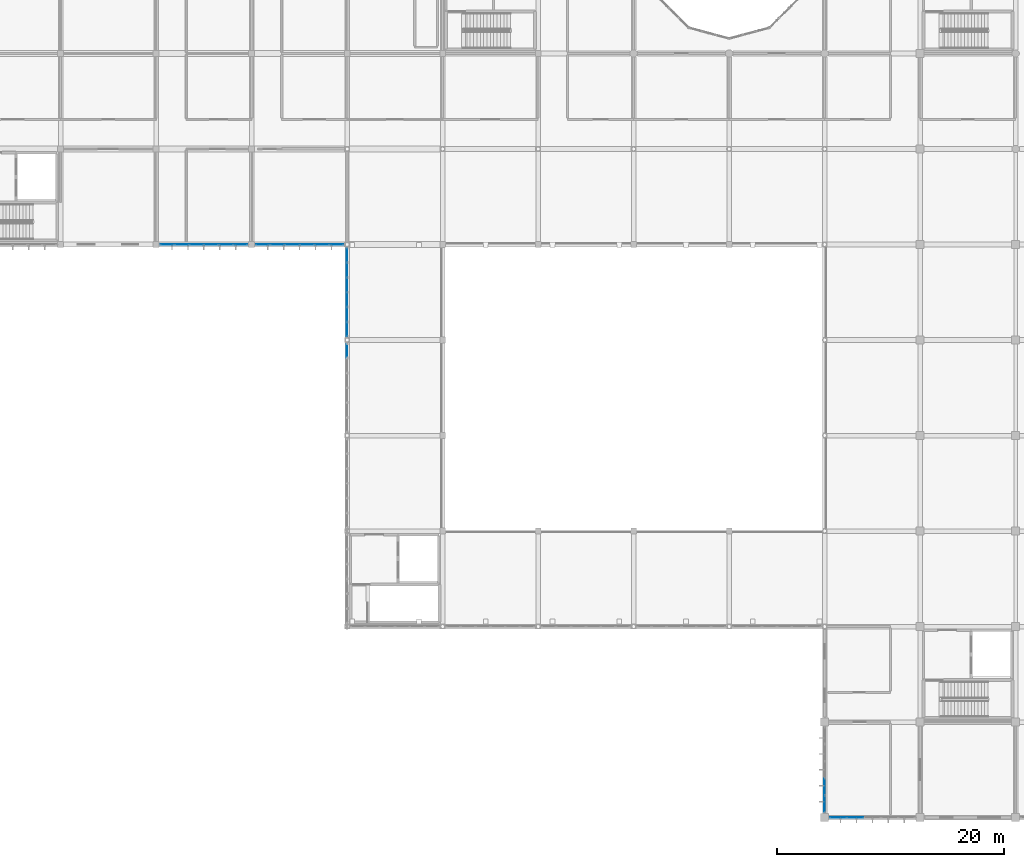
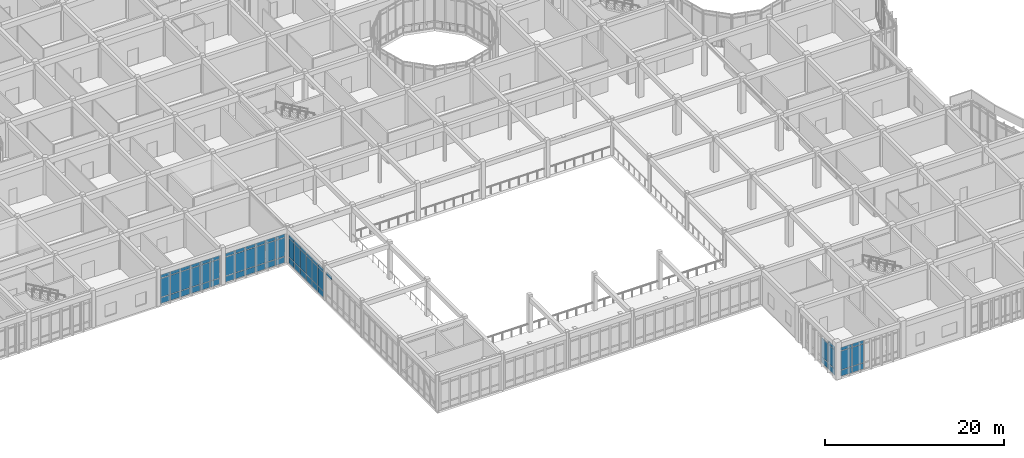
# One storey, part 68 of 134: 66 plates, 6 elements without a shape of their own.
"""IFC4 building model written with IfcOpenShell, lengths in metres."""

from ifc_helpers import new_model, si_unit, direction, frame, origin, origin_2d, place, context, subcontext, project, spatial, rectangle, extrude, material, layer, layer_set, type_object, element, aggregate, save


model = new_model("IFC4")

# Units and contexts
model_context = context("Model", 3, precision=1e-05, world=origin(), true_north=direction((0.0, 1.0)))
body_context = subcontext(model_context, "Body", "Model", "MODEL_VIEW")
ifc_project = project(units=[si_unit("LENGTHUNIT", "METRE"), si_unit("AREAUNIT", "SQUARE_METRE"), si_unit("VOLUMEUNIT", "CUBIC_METRE"), si_unit("PLANEANGLEUNIT", "RADIAN"), si_unit("MASSUNIT", "GRAM", prefix="KILO")], contexts=[model_context])

# Site, building, storey
site_placement = place(None, origin())
site = spatial("IfcSite", under=ifc_project, at=site_placement, CompositionType="ELEMENT")
building_placement = place(site_placement, origin())
building = spatial("IfcBuilding", under=site, at=building_placement, Name="Bramfleet General Hospital", CompositionType="ELEMENT")
storey_placement = place(building_placement, frame((0.0, 0.0, 9.300048828125)))
storey = spatial("IfcBuildingStorey", under=building, at=storey_placement, Name="L02", CompositionType="ELEMENT", Elevation=9.300048828125)

# Curtain wall, plates
ifc_material_1 = material(Name="Anodised aluminium and low-E triple glazing", Category="aluminium")
ifc_layer_1 = layer(ifc_material_1, 0.179931640625, Name="CWT-CW-11")
ifc_layer_set_1 = layer_set([ifc_layer_1], Name="Anodised aluminium and low-E triple glazing")
curtain_wall_type_1 = type_object("IfcCurtainWallType", Name="CWT-CW-11", PredefinedType="USERDEFINED", material=ifc_layer_set_1)
curtain_wall_1_placement = place(storey_placement, origin())
curtain_wall_1 = element("IfcCurtainWall", 1, at=curtain_wall_1_placement, inside=storey, type_object=curtain_wall_type_1, Name="L02 Curtain Wall 137", ObjectType="Stick curtain wall", PredefinedType="USERDEFINED")
ifc_material_2 = material(Name="Low-E laminated safety glass", Category="glass")
ifc_layer_2 = layer(ifc_material_2, 0.028076171875, Name="CWP-GLZ-1")
ifc_layer_set_2 = layer_set([ifc_layer_2], Name="Low-E laminated safety glass")
plate_type_1 = type_object("IfcPlateType", Name="CWP-GLZ-1", PredefinedType="CURTAIN_PANEL", material=ifc_layer_set_2)
plate_1_placement = place(storey_placement, frame((50.39990234375, 42.950439453125, 0.06494140625), z_axis=(0.0, 0.0, 1.0), x_axis=(0.0, 1.0, 0.0)))
plate_1 = element("IfcPlate", 2, at=plate_1_placement, type_object=plate_type_1, Name="CW-11 panel 1.1", PredefinedType="CURTAIN_PANEL", context=body_context, shape_type="SweptSolid", body=[
    extrude(rectangle(XDim=1.19482421875, YDim=0.028076171875, at=origin_2d()), origin(), (0.0, 0.0, 1.0), 0.802490234375),
])
plate_2_placement = place(storey_placement, frame((50.39990234375, 42.950439453125, 0.9326171875), z_axis=(0.0, 0.0, 1.0), x_axis=(0.0, 1.0, 0.0)))
plate_2 = element("IfcPlate", 3, at=plate_2_placement, type_object=plate_type_1, Name="CW-11 panel 1.2", PredefinedType="CURTAIN_PANEL", context=body_context, shape_type="SweptSolid", body=[
    extrude(rectangle(XDim=1.19482421875, YDim=0.028076171875, at=origin_2d()), origin(), (0.0, 0.0, 1.0), 2.554931640625),
])
plate_3_placement = place(storey_placement, frame((50.39990234375, 42.950439453125, 3.552734375), z_axis=(0.0, 0.0, 1.0), x_axis=(0.0, 1.0, 0.0)))
plate_3 = element("IfcPlate", 4, at=plate_3_placement, type_object=plate_type_1, Name="CW-11 panel 1.3", PredefinedType="CURTAIN_PANEL", context=body_context, shape_type="SweptSolid", body=[
    extrude(rectangle(XDim=1.19482421875, YDim=0.028076171875, at=origin_2d()), origin(), (0.0, 0.0, 1.0), 0.452392578125),
])
plate_4_placement = place(storey_placement, frame((50.39990234375, 44.239013671875, 0.06494140625), z_axis=(0.0, 0.0, 1.0), x_axis=(0.0, 1.0, 0.0)))
plate_4 = element("IfcPlate", 5, at=plate_4_placement, type_object=plate_type_1, Name="CW-11 panel 2.1", PredefinedType="CURTAIN_PANEL", context=body_context, shape_type="SweptSolid", body=[
    extrude(rectangle(XDim=1.232421875, YDim=0.028076171875, at=origin_2d()), origin(), (0.0, 0.0, 1.0), 0.802490234375),
])
plate_5_placement = place(storey_placement, frame((50.39990234375, 44.239013671875, 0.9326171875), z_axis=(0.0, 0.0, 1.0), x_axis=(0.0, 1.0, 0.0)))
plate_5 = element("IfcPlate", 6, at=plate_5_placement, type_object=plate_type_1, Name="CW-11 panel 2.2", PredefinedType="CURTAIN_PANEL", context=body_context, shape_type="SweptSolid", body=[
    extrude(rectangle(XDim=1.232421875, YDim=0.028076171875, at=origin_2d()), origin(), (0.0, 0.0, 1.0), 2.554931640625),
])
plate_6_placement = place(storey_placement, frame((50.39990234375, 44.239013671875, 3.552734375), z_axis=(0.0, 0.0, 1.0), x_axis=(0.0, 1.0, 0.0)))
plate_6 = element("IfcPlate", 7, at=plate_6_placement, type_object=plate_type_1, Name="CW-11 panel 2.3", PredefinedType="CURTAIN_PANEL", context=body_context, shape_type="SweptSolid", body=[
    extrude(rectangle(XDim=1.232421875, YDim=0.028076171875, at=origin_2d()), origin(), (0.0, 0.0, 1.0), 0.452392578125),
])
plate_7_placement = place(storey_placement, frame((50.39990234375, 45.54638671875, 0.06494140625), z_axis=(0.0, 0.0, 1.0), x_axis=(0.0, 1.0, 0.0)))
plate_7 = element("IfcPlate", 8, at=plate_7_placement, type_object=plate_type_1, Name="CW-11 panel 3.1", PredefinedType="CURTAIN_PANEL", context=body_context, shape_type="SweptSolid", body=[
    extrude(rectangle(XDim=1.232421875, YDim=0.028076171875, at=origin_2d()), origin(), (0.0, 0.0, 1.0), 0.802490234375),
])
plate_8_placement = place(storey_placement, frame((50.39990234375, 45.54638671875, 0.9326171875), z_axis=(0.0, 0.0, 1.0), x_axis=(0.0, 1.0, 0.0)))
plate_8 = element("IfcPlate", 9, at=plate_8_placement, type_object=plate_type_1, Name="CW-11 panel 3.2", PredefinedType="CURTAIN_PANEL", context=body_context, shape_type="SweptSolid", body=[
    extrude(rectangle(XDim=1.232421875, YDim=0.028076171875, at=origin_2d()), origin(), (0.0, 0.0, 1.0), 2.554931640625),
])
plate_9_placement = place(storey_placement, frame((50.39990234375, 45.54638671875, 3.552734375), z_axis=(0.0, 0.0, 1.0), x_axis=(0.0, 1.0, 0.0)))
plate_9 = element("IfcPlate", 10, at=plate_9_placement, type_object=plate_type_1, Name="CW-11 panel 3.3", PredefinedType="CURTAIN_PANEL", context=body_context, shape_type="SweptSolid", body=[
    extrude(rectangle(XDim=1.232421875, YDim=0.028076171875, at=origin_2d()), origin(), (0.0, 0.0, 1.0), 0.452392578125),
])
plate_10_placement = place(storey_placement, frame((50.39990234375, 46.853759765625, 0.06494140625), z_axis=(0.0, 0.0, 1.0), x_axis=(0.0, 1.0, 0.0)))
plate_10 = element("IfcPlate", 11, at=plate_10_placement, type_object=plate_type_1, Name="CW-11 panel 4.1", PredefinedType="CURTAIN_PANEL", context=body_context, shape_type="SweptSolid", body=[
    extrude(rectangle(XDim=1.232421875, YDim=0.028076171875, at=origin_2d()), origin(), (0.0, 0.0, 1.0), 0.802490234375),
])
plate_11_placement = place(storey_placement, frame((50.39990234375, 46.853759765625, 0.9326171875), z_axis=(0.0, 0.0, 1.0), x_axis=(0.0, 1.0, 0.0)))
plate_11 = element("IfcPlate", 12, at=plate_11_placement, type_object=plate_type_1, Name="CW-11 panel 4.2", PredefinedType="CURTAIN_PANEL", context=body_context, shape_type="SweptSolid", body=[
    extrude(rectangle(XDim=1.232421875, YDim=0.028076171875, at=origin_2d()), origin(), (0.0, 0.0, 1.0), 2.554931640625),
])
plate_12_placement = place(storey_placement, frame((50.39990234375, 46.853759765625, 3.552734375), z_axis=(0.0, 0.0, 1.0), x_axis=(0.0, 1.0, 0.0)))
plate_12 = element("IfcPlate", 13, at=plate_12_placement, type_object=plate_type_1, Name="CW-11 panel 4.3", PredefinedType="CURTAIN_PANEL", context=body_context, shape_type="SweptSolid", body=[
    extrude(rectangle(XDim=1.232421875, YDim=0.028076171875, at=origin_2d()), origin(), (0.0, 0.0, 1.0), 0.452392578125),
])
plate_13_placement = place(storey_placement, frame((50.39990234375, 48.160888671875, 0.06494140625), z_axis=(0.0, 0.0, 1.0), x_axis=(0.0, 1.0, 0.0)))
plate_13 = element("IfcPlate", 14, at=plate_13_placement, type_object=plate_type_1, Name="CW-11 panel 5.1", PredefinedType="CURTAIN_PANEL", context=body_context, shape_type="SweptSolid", body=[
    extrude(rectangle(XDim=1.232421875, YDim=0.028076171875, at=origin_2d()), origin(), (0.0, 0.0, 1.0), 0.802490234375),
])
plate_14_placement = place(storey_placement, frame((50.39990234375, 48.160888671875, 0.9326171875), z_axis=(0.0, 0.0, 1.0), x_axis=(0.0, 1.0, 0.0)))
plate_14 = element("IfcPlate", 15, at=plate_14_placement, type_object=plate_type_1, Name="CW-11 panel 5.2", PredefinedType="CURTAIN_PANEL", context=body_context, shape_type="SweptSolid", body=[
    extrude(rectangle(XDim=1.232421875, YDim=0.028076171875, at=origin_2d()), origin(), (0.0, 0.0, 1.0), 2.554931640625),
])
plate_15_placement = place(storey_placement, frame((50.39990234375, 48.160888671875, 3.552734375), z_axis=(0.0, 0.0, 1.0), x_axis=(0.0, 1.0, 0.0)))
plate_15 = element("IfcPlate", 16, at=plate_15_placement, type_object=plate_type_1, Name="CW-11 panel 5.3", PredefinedType="CURTAIN_PANEL", context=body_context, shape_type="SweptSolid", body=[
    extrude(rectangle(XDim=1.232421875, YDim=0.028076171875, at=origin_2d()), origin(), (0.0, 0.0, 1.0), 0.452392578125),
])
plate_16_placement = place(storey_placement, frame((50.39990234375, 49.449462890625, 0.06494140625), z_axis=(0.0, 0.0, 1.0), x_axis=(0.0, 1.0, 0.0)))
plate_16 = element("IfcPlate", 17, at=plate_16_placement, type_object=plate_type_1, Name="CW-11 panel 6.1", PredefinedType="CURTAIN_PANEL", context=body_context, shape_type="SweptSolid", body=[
    extrude(rectangle(XDim=1.19482421875, YDim=0.028076171875, at=origin_2d()), origin(), (0.0, 0.0, 1.0), 0.802490234375),
])
plate_17_placement = place(storey_placement, frame((50.39990234375, 49.449462890625, 0.9326171875), z_axis=(0.0, 0.0, 1.0), x_axis=(0.0, 1.0, 0.0)))
plate_17 = element("IfcPlate", 18, at=plate_17_placement, type_object=plate_type_1, Name="CW-11 panel 6.2", PredefinedType="CURTAIN_PANEL", context=body_context, shape_type="SweptSolid", body=[
    extrude(rectangle(XDim=1.19482421875, YDim=0.028076171875, at=origin_2d()), origin(), (0.0, 0.0, 1.0), 2.554931640625),
])
plate_18_placement = place(storey_placement, frame((50.39990234375, 49.449462890625, 3.552734375), z_axis=(0.0, 0.0, 1.0), x_axis=(0.0, 1.0, 0.0)))
plate_18 = element("IfcPlate", 19, at=plate_18_placement, type_object=plate_type_1, Name="CW-11 panel 6.3", PredefinedType="CURTAIN_PANEL", context=body_context, shape_type="SweptSolid", body=[
    extrude(rectangle(XDim=1.19482421875, YDim=0.028076171875, at=origin_2d()), origin(), (0.0, 0.0, 1.0), 0.452392578125),
])
aggregate(curtain_wall_1, [plate_1, plate_2, plate_3, plate_4, plate_5, plate_6, plate_7, plate_8, plate_9, plate_10, plate_11, plate_12, plate_13, plate_14, plate_15, plate_16, plate_17, plate_18])

ifc_layer_3 = layer(ifc_material_1, 0.179931640625, Name="CWT-CW-12")
ifc_layer_set_3 = layer_set([ifc_layer_3], Name="Anodised aluminium and low-E triple glazing")
curtain_wall_type_2 = type_object("IfcCurtainWallType", Name="CWT-CW-12", PredefinedType="USERDEFINED", material=ifc_layer_set_3)
curtain_wall_2_placement = place(storey_placement, origin())
curtain_wall_2 = element("IfcCurtainWall", 20, at=curtain_wall_2_placement, inside=storey, type_object=curtain_wall_type_2, Name="L02 Curtain Wall 138", ObjectType="Stick curtain wall", PredefinedType="USERDEFINED")
ifc_layer_4 = layer(ifc_material_2, 0.031982421875, Name="CWP-GLZ-2")
ifc_layer_set_4 = layer_set([ifc_layer_4], Name="Low-E laminated safety glass")
plate_type_2 = type_object("IfcPlateType", Name="CWP-GLZ-2", PredefinedType="CURTAIN_PANEL", material=ifc_layer_set_4)
plate_19_placement = place(storey_placement, frame((49.454833984375, 50.39990234375, 0.06494140625), z_axis=(0.0, 0.0, 1.0), x_axis=(-1.0, 0.0, 0.0)))
plate_19 = element("IfcPlate", 21, at=plate_19_placement, type_object=plate_type_2, Name="CW-12 panel 1.1", PredefinedType="CURTAIN_PANEL", context=body_context, shape_type="SweptSolid", body=[
    extrude(rectangle(XDim=1.194580078125, YDim=0.031982421875, at=origin_2d()), origin(), (0.0, 0.0, 1.0), 0.802490234375),
])
plate_20_placement = place(storey_placement, frame((49.454833984375, 50.39990234375, 0.9326171875), z_axis=(0.0, 0.0, 1.0), x_axis=(-1.0, 0.0, 0.0)))
plate_20 = element("IfcPlate", 22, at=plate_20_placement, type_object=plate_type_2, Name="CW-12 panel 1.2", PredefinedType="CURTAIN_PANEL", context=body_context, shape_type="SweptSolid", body=[
    extrude(rectangle(XDim=1.194580078125, YDim=0.031982421875, at=origin_2d()), origin(), (0.0, 0.0, 1.0), 2.554931640625),
])
plate_21_placement = place(storey_placement, frame((49.454833984375, 50.39990234375, 3.552734375), z_axis=(0.0, 0.0, 1.0), x_axis=(-1.0, 0.0, 0.0)))
plate_21 = element("IfcPlate", 23, at=plate_21_placement, type_object=plate_type_2, Name="CW-12 panel 1.3", PredefinedType="CURTAIN_PANEL", context=body_context, shape_type="SweptSolid", body=[
    extrude(rectangle(XDim=1.194580078125, YDim=0.031982421875, at=origin_2d()), origin(), (0.0, 0.0, 1.0), 0.452392578125),
])
plate_22_placement = place(storey_placement, frame((48.1728515625, 50.39990234375, 0.06494140625), z_axis=(0.0, 0.0, 1.0), x_axis=(-1.0, 0.0, 0.0)))
plate_22 = element("IfcPlate", 24, at=plate_22_placement, type_object=plate_type_2, Name="CW-12 panel 2.1", PredefinedType="CURTAIN_PANEL", context=body_context, shape_type="SweptSolid", body=[
    extrude(rectangle(XDim=1.2294921875, YDim=0.031982421875, at=origin_2d()), origin(), (0.0, 0.0, 1.0), 0.802490234375),
])
plate_23_placement = place(storey_placement, frame((48.1728515625, 50.39990234375, 0.9326171875), z_axis=(0.0, 0.0, 1.0), x_axis=(-1.0, 0.0, 0.0)))
plate_23 = element("IfcPlate", 25, at=plate_23_placement, type_object=plate_type_2, Name="CW-12 panel 2.2", PredefinedType="CURTAIN_PANEL", context=body_context, shape_type="SweptSolid", body=[
    extrude(rectangle(XDim=1.2294921875, YDim=0.031982421875, at=origin_2d()), origin(), (0.0, 0.0, 1.0), 2.554931640625),
])
plate_24_placement = place(storey_placement, frame((48.1728515625, 50.39990234375, 3.552734375), z_axis=(0.0, 0.0, 1.0), x_axis=(-1.0, 0.0, 0.0)))
plate_24 = element("IfcPlate", 26, at=plate_24_placement, type_object=plate_type_2, Name="CW-12 panel 2.3", PredefinedType="CURTAIN_PANEL", context=body_context, shape_type="SweptSolid", body=[
    extrude(rectangle(XDim=1.2294921875, YDim=0.031982421875, at=origin_2d()), origin(), (0.0, 0.0, 1.0), 0.452392578125),
])
plate_25_placement = place(storey_placement, frame((46.873291015625, 50.39990234375, 0.06494140625), z_axis=(0.0, 0.0, 1.0), x_axis=(-1.0, 0.0, 0.0)))
plate_25 = element("IfcPlate", 27, at=plate_25_placement, type_object=plate_type_2, Name="CW-12 panel 3.1", PredefinedType="CURTAIN_PANEL", context=body_context, shape_type="SweptSolid", body=[
    extrude(rectangle(XDim=1.2294921875, YDim=0.031982421875, at=origin_2d()), origin(), (0.0, 0.0, 1.0), 0.802490234375),
])
plate_26_placement = place(storey_placement, frame((46.873291015625, 50.39990234375, 0.9326171875), z_axis=(0.0, 0.0, 1.0), x_axis=(-1.0, 0.0, 0.0)))
plate_26 = element("IfcPlate", 28, at=plate_26_placement, type_object=plate_type_2, Name="CW-12 panel 3.2", PredefinedType="CURTAIN_PANEL", context=body_context, shape_type="SweptSolid", body=[
    extrude(rectangle(XDim=1.2294921875, YDim=0.031982421875, at=origin_2d()), origin(), (0.0, 0.0, 1.0), 2.554931640625),
])
plate_27_placement = place(storey_placement, frame((46.873291015625, 50.39990234375, 3.552734375), z_axis=(0.0, 0.0, 1.0), x_axis=(-1.0, 0.0, 0.0)))
plate_27 = element("IfcPlate", 29, at=plate_27_placement, type_object=plate_type_2, Name="CW-12 panel 3.3", PredefinedType="CURTAIN_PANEL", context=body_context, shape_type="SweptSolid", body=[
    extrude(rectangle(XDim=1.2294921875, YDim=0.031982421875, at=origin_2d()), origin(), (0.0, 0.0, 1.0), 0.452392578125),
])
plate_28_placement = place(storey_placement, frame((45.57373046875, 50.39990234375, 0.06494140625), z_axis=(0.0, 0.0, 1.0), x_axis=(-1.0, 0.0, 0.0)))
plate_28 = element("IfcPlate", 30, at=plate_28_placement, type_object=plate_type_2, Name="CW-12 panel 4.1", PredefinedType="CURTAIN_PANEL", context=body_context, shape_type="SweptSolid", body=[
    extrude(rectangle(XDim=1.2294921875, YDim=0.031982421875, at=origin_2d()), origin(), (0.0, 0.0, 1.0), 0.802490234375),
])
plate_29_placement = place(storey_placement, frame((45.57373046875, 50.39990234375, 0.9326171875), z_axis=(0.0, 0.0, 1.0), x_axis=(-1.0, 0.0, 0.0)))
plate_29 = element("IfcPlate", 31, at=plate_29_placement, type_object=plate_type_2, Name="CW-12 panel 4.2", PredefinedType="CURTAIN_PANEL", context=body_context, shape_type="SweptSolid", body=[
    extrude(rectangle(XDim=1.2294921875, YDim=0.031982421875, at=origin_2d()), origin(), (0.0, 0.0, 1.0), 2.554931640625),
])
plate_30_placement = place(storey_placement, frame((45.57373046875, 50.39990234375, 3.552734375), z_axis=(0.0, 0.0, 1.0), x_axis=(-1.0, 0.0, 0.0)))
plate_30 = element("IfcPlate", 32, at=plate_30_placement, type_object=plate_type_2, Name="CW-12 panel 4.3", PredefinedType="CURTAIN_PANEL", context=body_context, shape_type="SweptSolid", body=[
    extrude(rectangle(XDim=1.2294921875, YDim=0.031982421875, at=origin_2d()), origin(), (0.0, 0.0, 1.0), 0.452392578125),
])
plate_31_placement = place(storey_placement, frame((44.274169921875, 50.39990234375, 0.06494140625), z_axis=(0.0, 0.0, 1.0), x_axis=(-1.0, 0.0, 0.0)))
plate_31 = element("IfcPlate", 33, at=plate_31_placement, type_object=plate_type_2, Name="CW-12 panel 5.1", PredefinedType="CURTAIN_PANEL", context=body_context, shape_type="SweptSolid", body=[
    extrude(rectangle(XDim=1.2294921875, YDim=0.031982421875, at=origin_2d()), origin(), (0.0, 0.0, 1.0), 0.802490234375),
])
plate_32_placement = place(storey_placement, frame((44.274169921875, 50.39990234375, 0.9326171875), z_axis=(0.0, 0.0, 1.0), x_axis=(-1.0, 0.0, 0.0)))
plate_32 = element("IfcPlate", 34, at=plate_32_placement, type_object=plate_type_2, Name="CW-12 panel 5.2", PredefinedType="CURTAIN_PANEL", context=body_context, shape_type="SweptSolid", body=[
    extrude(rectangle(XDim=1.2294921875, YDim=0.031982421875, at=origin_2d()), origin(), (0.0, 0.0, 1.0), 2.554931640625),
])
plate_33_placement = place(storey_placement, frame((44.274169921875, 50.39990234375, 3.552734375), z_axis=(0.0, 0.0, 1.0), x_axis=(-1.0, 0.0, 0.0)))
plate_33 = element("IfcPlate", 35, at=plate_33_placement, type_object=plate_type_2, Name="CW-12 panel 5.3", PredefinedType="CURTAIN_PANEL", context=body_context, shape_type="SweptSolid", body=[
    extrude(rectangle(XDim=1.2294921875, YDim=0.031982421875, at=origin_2d()), origin(), (0.0, 0.0, 1.0), 0.452392578125),
])
plate_34_placement = place(storey_placement, frame((42.9921875, 50.39990234375, 0.06494140625), z_axis=(0.0, 0.0, 1.0), x_axis=(-1.0, 0.0, 0.0)))
plate_34 = element("IfcPlate", 36, at=plate_34_placement, type_object=plate_type_2, Name="CW-12 panel 6.1", PredefinedType="CURTAIN_PANEL", context=body_context, shape_type="SweptSolid", body=[
    extrude(rectangle(XDim=1.194580078125, YDim=0.031982421875, at=origin_2d()), origin(), (0.0, 0.0, 1.0), 0.802490234375),
])
plate_35_placement = place(storey_placement, frame((42.9921875, 50.39990234375, 0.9326171875), z_axis=(0.0, 0.0, 1.0), x_axis=(-1.0, 0.0, 0.0)))
plate_35 = element("IfcPlate", 37, at=plate_35_placement, type_object=plate_type_2, Name="CW-12 panel 6.2", PredefinedType="CURTAIN_PANEL", context=body_context, shape_type="SweptSolid", body=[
    extrude(rectangle(XDim=1.194580078125, YDim=0.031982421875, at=origin_2d()), origin(), (0.0, 0.0, 1.0), 2.554931640625),
])
plate_36_placement = place(storey_placement, frame((42.9921875, 50.39990234375, 3.552734375), z_axis=(0.0, 0.0, 1.0), x_axis=(-1.0, 0.0, 0.0)))
plate_36 = element("IfcPlate", 38, at=plate_36_placement, type_object=plate_type_2, Name="CW-12 panel 6.3", PredefinedType="CURTAIN_PANEL", context=body_context, shape_type="SweptSolid", body=[
    extrude(rectangle(XDim=1.194580078125, YDim=0.031982421875, at=origin_2d()), origin(), (0.0, 0.0, 1.0), 0.452392578125),
])
aggregate(curtain_wall_2, [plate_19, plate_20, plate_21, plate_22, plate_23, plate_24, plate_25, plate_26, plate_27, plate_28, plate_29, plate_30, plate_31, plate_32, plate_33, plate_34, plate_35, plate_36])

ifc_layer_5 = layer(ifc_material_1, 0.179931640625, Name="CWT-CW-01")
ifc_layer_set_5 = layer_set([ifc_layer_5], Name="Anodised aluminium and low-E triple glazing")
curtain_wall_type_3 = type_object("IfcCurtainWallType", Name="CWT-CW-01", PredefinedType="USERDEFINED", material=ifc_layer_set_5)
curtain_wall_3_placement = place(storey_placement, origin())
curtain_wall_3 = element("IfcCurtainWall", 39, at=curtain_wall_3_placement, inside=storey, type_object=curtain_wall_type_3, Name="L02 Curtain Wall 127", ObjectType="Unitised curtain wall", PredefinedType="USERDEFINED")
ifc_layer_6 = layer(ifc_material_2, 0.035888671875, Name="CWP-GLZ-3")
ifc_layer_set_6 = layer_set([ifc_layer_6], Name="Low-E laminated safety glass")
plate_type_3 = type_object("IfcPlateType", Name="CWP-GLZ-3", PredefinedType="CURTAIN_PANEL", material=ifc_layer_set_6)
plate_37_placement = place(storey_placement, frame((95.090087890625, 0.0, 0.06494140625), z_axis=(0.0, 0.0, 1.0), x_axis=(-1.0, 0.0, 0.0)))
plate_37 = element("IfcPlate", 40, at=plate_37_placement, type_object=plate_type_3, Name="CW-01 panel 4.1", PredefinedType="CURTAIN_PANEL", context=body_context, shape_type="SweptSolid", body=[
    extrude(rectangle(XDim=1.43994140625, YDim=0.035888671875, at=origin_2d()), origin(), (0.0, 0.0, 1.0), 0.802490234375),
])
plate_38_placement = place(storey_placement, frame((95.090087890625, 0.0, 0.9326171875), z_axis=(0.0, 0.0, 1.0), x_axis=(-1.0, 0.0, 0.0)))
plate_38 = element("IfcPlate", 41, at=plate_38_placement, type_object=plate_type_3, Name="CW-01 panel 4.2", PredefinedType="CURTAIN_PANEL", context=body_context, shape_type="SweptSolid", body=[
    extrude(rectangle(XDim=1.43994140625, YDim=0.035888671875, at=origin_2d()), origin(), (0.0, 0.0, 1.0), 2.554931640625),
])
plate_39_placement = place(storey_placement, frame((95.090087890625, 0.0, 3.552734375), z_axis=(0.0, 0.0, 1.0), x_axis=(-1.0, 0.0, 0.0)))
plate_39 = element("IfcPlate", 42, at=plate_39_placement, type_object=plate_type_3, Name="CW-01 panel 4.3", PredefinedType="CURTAIN_PANEL", context=body_context, shape_type="SweptSolid", body=[
    extrude(rectangle(XDim=1.43994140625, YDim=0.035888671875, at=origin_2d()), origin(), (0.0, 0.0, 1.0), 0.452392578125),
])
plate_40_placement = place(storey_placement, frame((93.597412109375, 0.0, 0.06494140625), z_axis=(0.0, 0.0, 1.0), x_axis=(-1.0, 0.0, 0.0)))
plate_40 = element("IfcPlate", 43, at=plate_40_placement, type_object=plate_type_3, Name="CW-01 panel 5.1", PredefinedType="CURTAIN_PANEL", context=body_context, shape_type="SweptSolid", body=[
    extrude(rectangle(XDim=1.405029296875, YDim=0.035888671875, at=origin_2d()), origin(), (0.0, 0.0, 1.0), 0.802490234375),
])
plate_41_placement = place(storey_placement, frame((93.597412109375, 0.0, 0.9326171875), z_axis=(0.0, 0.0, 1.0), x_axis=(-1.0, 0.0, 0.0)))
plate_41 = element("IfcPlate", 44, at=plate_41_placement, type_object=plate_type_3, Name="CW-01 panel 5.2", PredefinedType="CURTAIN_PANEL", context=body_context, shape_type="SweptSolid", body=[
    extrude(rectangle(XDim=1.405029296875, YDim=0.035888671875, at=origin_2d()), origin(), (0.0, 0.0, 1.0), 2.554931640625),
])
plate_42_placement = place(storey_placement, frame((93.597412109375, 0.0, 3.552734375), z_axis=(0.0, 0.0, 1.0), x_axis=(-1.0, 0.0, 0.0)))
plate_42 = element("IfcPlate", 45, at=plate_42_placement, type_object=plate_type_3, Name="CW-01 panel 5.3", PredefinedType="CURTAIN_PANEL", context=body_context, shape_type="SweptSolid", body=[
    extrude(rectangle(XDim=1.405029296875, YDim=0.035888671875, at=origin_2d()), origin(), (0.0, 0.0, 1.0), 0.452392578125),
])
aggregate(curtain_wall_3, [plate_37, plate_38, plate_39, plate_40, plate_41, plate_42])

ifc_layer_7 = layer(ifc_material_1, 0.179931640625, Name="CWT-CW-13")
ifc_layer_set_7 = layer_set([ifc_layer_7], Name="Anodised aluminium and low-E triple glazing")
curtain_wall_type_4 = type_object("IfcCurtainWallType", Name="CWT-CW-13", PredefinedType="USERDEFINED", material=ifc_layer_set_7)
curtain_wall_4_placement = place(storey_placement, origin())
curtain_wall_4 = element("IfcCurtainWall", 46, at=curtain_wall_4_placement, inside=storey, type_object=curtain_wall_type_4, Name="L02 Curtain Wall 139", ObjectType="Stick curtain wall", PredefinedType="USERDEFINED")
plate_43_placement = place(storey_placement, frame((41.01171875, 50.39990234375, 0.06494140625), z_axis=(0.0, 0.0, 1.0), x_axis=(-1.0, 0.0, 0.0)))
plate_43 = element("IfcPlate", 47, at=plate_43_placement, type_object=plate_type_3, Name="CW-13 panel 1.1", PredefinedType="CURTAIN_PANEL", context=body_context, shape_type="SweptSolid", body=[
    extrude(rectangle(XDim=1.186767578125, YDim=0.035888671875, at=origin_2d()), origin(), (0.0, 0.0, 1.0), 0.802490234375),
])
plate_44_placement = place(storey_placement, frame((41.01171875, 50.39990234375, 0.9326171875), z_axis=(0.0, 0.0, 1.0), x_axis=(-1.0, 0.0, 0.0)))
plate_44 = element("IfcPlate", 48, at=plate_44_placement, type_object=plate_type_3, Name="CW-13 panel 1.2", PredefinedType="CURTAIN_PANEL", context=body_context, shape_type="SweptSolid", body=[
    extrude(rectangle(XDim=1.186767578125, YDim=0.035888671875, at=origin_2d()), origin(), (0.0, 0.0, 1.0), 2.554931640625),
])
plate_45_placement = place(storey_placement, frame((41.01171875, 50.39990234375, 3.552734375), z_axis=(0.0, 0.0, 1.0), x_axis=(-1.0, 0.0, 0.0)))
plate_45 = element("IfcPlate", 49, at=plate_45_placement, type_object=plate_type_3, Name="CW-13 panel 1.3", PredefinedType="CURTAIN_PANEL", context=body_context, shape_type="SweptSolid", body=[
    extrude(rectangle(XDim=1.186767578125, YDim=0.035888671875, at=origin_2d()), origin(), (0.0, 0.0, 1.0), 0.452392578125),
])
plate_46_placement = place(storey_placement, frame((39.737548828125, 50.39990234375, 0.06494140625), z_axis=(0.0, 0.0, 1.0), x_axis=(-1.0, 0.0, 0.0)))
plate_46 = element("IfcPlate", 50, at=plate_46_placement, type_object=plate_type_3, Name="CW-13 panel 2.1", PredefinedType="CURTAIN_PANEL", context=body_context, shape_type="SweptSolid", body=[
    extrude(rectangle(XDim=1.2216796875, YDim=0.035888671875, at=origin_2d()), origin(), (0.0, 0.0, 1.0), 0.802490234375),
])
plate_47_placement = place(storey_placement, frame((39.737548828125, 50.39990234375, 0.9326171875), z_axis=(0.0, 0.0, 1.0), x_axis=(-1.0, 0.0, 0.0)))
plate_47 = element("IfcPlate", 51, at=plate_47_placement, type_object=plate_type_3, Name="CW-13 panel 2.2", PredefinedType="CURTAIN_PANEL", context=body_context, shape_type="SweptSolid", body=[
    extrude(rectangle(XDim=1.2216796875, YDim=0.035888671875, at=origin_2d()), origin(), (0.0, 0.0, 1.0), 2.554931640625),
])
plate_48_placement = place(storey_placement, frame((39.737548828125, 50.39990234375, 3.552734375), z_axis=(0.0, 0.0, 1.0), x_axis=(-1.0, 0.0, 0.0)))
plate_48 = element("IfcPlate", 52, at=plate_48_placement, type_object=plate_type_3, Name="CW-13 panel 2.3", PredefinedType="CURTAIN_PANEL", context=body_context, shape_type="SweptSolid", body=[
    extrude(rectangle(XDim=1.2216796875, YDim=0.035888671875, at=origin_2d()), origin(), (0.0, 0.0, 1.0), 0.452392578125),
])
plate_49_placement = place(storey_placement, frame((38.44580078125, 50.39990234375, 0.06494140625), z_axis=(0.0, 0.0, 1.0), x_axis=(-1.0, 0.0, 0.0)))
plate_49 = element("IfcPlate", 53, at=plate_49_placement, type_object=plate_type_3, Name="CW-13 panel 3.1", PredefinedType="CURTAIN_PANEL", context=body_context, shape_type="SweptSolid", body=[
    extrude(rectangle(XDim=1.2216796875, YDim=0.035888671875, at=origin_2d()), origin(), (0.0, 0.0, 1.0), 0.802490234375),
])
plate_50_placement = place(storey_placement, frame((38.44580078125, 50.39990234375, 0.9326171875), z_axis=(0.0, 0.0, 1.0), x_axis=(-1.0, 0.0, 0.0)))
plate_50 = element("IfcPlate", 54, at=plate_50_placement, type_object=plate_type_3, Name="CW-13 panel 3.2", PredefinedType="CURTAIN_PANEL", context=body_context, shape_type="SweptSolid", body=[
    extrude(rectangle(XDim=1.2216796875, YDim=0.035888671875, at=origin_2d()), origin(), (0.0, 0.0, 1.0), 2.554931640625),
])
plate_51_placement = place(storey_placement, frame((38.44580078125, 50.39990234375, 3.552734375), z_axis=(0.0, 0.0, 1.0), x_axis=(-1.0, 0.0, 0.0)))
plate_51 = element("IfcPlate", 55, at=plate_51_placement, type_object=plate_type_3, Name="CW-13 panel 3.3", PredefinedType="CURTAIN_PANEL", context=body_context, shape_type="SweptSolid", body=[
    extrude(rectangle(XDim=1.2216796875, YDim=0.035888671875, at=origin_2d()), origin(), (0.0, 0.0, 1.0), 0.452392578125),
])
plate_52_placement = place(storey_placement, frame((37.154052734375, 50.39990234375, 0.06494140625), z_axis=(0.0, 0.0, 1.0), x_axis=(-1.0, 0.0, 0.0)))
plate_52 = element("IfcPlate", 56, at=plate_52_placement, type_object=plate_type_3, Name="CW-13 panel 4.1", PredefinedType="CURTAIN_PANEL", context=body_context, shape_type="SweptSolid", body=[
    extrude(rectangle(XDim=1.2216796875, YDim=0.035888671875, at=origin_2d()), origin(), (0.0, 0.0, 1.0), 0.802490234375),
])
plate_53_placement = place(storey_placement, frame((37.154052734375, 50.39990234375, 0.9326171875), z_axis=(0.0, 0.0, 1.0), x_axis=(-1.0, 0.0, 0.0)))
plate_53 = element("IfcPlate", 57, at=plate_53_placement, type_object=plate_type_3, Name="CW-13 panel 4.2", PredefinedType="CURTAIN_PANEL", context=body_context, shape_type="SweptSolid", body=[
    extrude(rectangle(XDim=1.2216796875, YDim=0.035888671875, at=origin_2d()), origin(), (0.0, 0.0, 1.0), 2.554931640625),
])
plate_54_placement = place(storey_placement, frame((37.154052734375, 50.39990234375, 3.552734375), z_axis=(0.0, 0.0, 1.0), x_axis=(-1.0, 0.0, 0.0)))
plate_54 = element("IfcPlate", 58, at=plate_54_placement, type_object=plate_type_3, Name="CW-13 panel 4.3", PredefinedType="CURTAIN_PANEL", context=body_context, shape_type="SweptSolid", body=[
    extrude(rectangle(XDim=1.2216796875, YDim=0.035888671875, at=origin_2d()), origin(), (0.0, 0.0, 1.0), 0.452392578125),
])
plate_55_placement = place(storey_placement, frame((35.862548828125, 50.39990234375, 0.06494140625), z_axis=(0.0, 0.0, 1.0), x_axis=(-1.0, 0.0, 0.0)))
plate_55 = element("IfcPlate", 59, at=plate_55_placement, type_object=plate_type_3, Name="CW-13 panel 5.1", PredefinedType="CURTAIN_PANEL", context=body_context, shape_type="SweptSolid", body=[
    extrude(rectangle(XDim=1.2216796875, YDim=0.035888671875, at=origin_2d()), origin(), (0.0, 0.0, 1.0), 0.802490234375),
])
plate_56_placement = place(storey_placement, frame((35.862548828125, 50.39990234375, 0.9326171875), z_axis=(0.0, 0.0, 1.0), x_axis=(-1.0, 0.0, 0.0)))
plate_56 = element("IfcPlate", 60, at=plate_56_placement, type_object=plate_type_3, Name="CW-13 panel 5.2", PredefinedType="CURTAIN_PANEL", context=body_context, shape_type="SweptSolid", body=[
    extrude(rectangle(XDim=1.2216796875, YDim=0.035888671875, at=origin_2d()), origin(), (0.0, 0.0, 1.0), 2.554931640625),
])
plate_57_placement = place(storey_placement, frame((35.862548828125, 50.39990234375, 3.552734375), z_axis=(0.0, 0.0, 1.0), x_axis=(-1.0, 0.0, 0.0)))
plate_57 = element("IfcPlate", 61, at=plate_57_placement, type_object=plate_type_3, Name="CW-13 panel 5.3", PredefinedType="CURTAIN_PANEL", context=body_context, shape_type="SweptSolid", body=[
    extrude(rectangle(XDim=1.2216796875, YDim=0.035888671875, at=origin_2d()), origin(), (0.0, 0.0, 1.0), 0.452392578125),
])
plate_58_placement = place(storey_placement, frame((34.58837890625, 50.39990234375, 0.06494140625), z_axis=(0.0, 0.0, 1.0), x_axis=(-1.0, 0.0, 0.0)))
plate_58 = element("IfcPlate", 62, at=plate_58_placement, type_object=plate_type_3, Name="CW-13 panel 6.1", PredefinedType="CURTAIN_PANEL", context=body_context, shape_type="SweptSolid", body=[
    extrude(rectangle(XDim=1.186767578125, YDim=0.035888671875, at=origin_2d()), origin(), (0.0, 0.0, 1.0), 0.802490234375),
])
plate_59_placement = place(storey_placement, frame((34.58837890625, 50.39990234375, 0.9326171875), z_axis=(0.0, 0.0, 1.0), x_axis=(-1.0, 0.0, 0.0)))
plate_59 = element("IfcPlate", 63, at=plate_59_placement, type_object=plate_type_3, Name="CW-13 panel 6.2", PredefinedType="CURTAIN_PANEL", context=body_context, shape_type="SweptSolid", body=[
    extrude(rectangle(XDim=1.186767578125, YDim=0.035888671875, at=origin_2d()), origin(), (0.0, 0.0, 1.0), 2.554931640625),
])
plate_60_placement = place(storey_placement, frame((34.58837890625, 50.39990234375, 3.552734375), z_axis=(0.0, 0.0, 1.0), x_axis=(-1.0, 0.0, 0.0)))
plate_60 = element("IfcPlate", 64, at=plate_60_placement, type_object=plate_type_3, Name="CW-13 panel 6.3", PredefinedType="CURTAIN_PANEL", context=body_context, shape_type="SweptSolid", body=[
    extrude(rectangle(XDim=1.186767578125, YDim=0.035888671875, at=origin_2d()), origin(), (0.0, 0.0, 1.0), 0.452392578125),
])
aggregate(curtain_wall_4, [plate_43, plate_44, plate_45, plate_46, plate_47, plate_48, plate_49, plate_50, plate_51, plate_52, plate_53, plate_54, plate_55, plate_56, plate_57, plate_58, plate_59, plate_60])

ifc_layer_8 = layer(ifc_material_1, 0.179931640625, Name="CWT-CW-02")
ifc_layer_set_8 = layer_set([ifc_layer_8], Name="Anodised aluminium and low-E triple glazing")
curtain_wall_type_5 = type_object("IfcCurtainWallType", Name="CWT-CW-02", PredefinedType="USERDEFINED", material=ifc_layer_set_8)
curtain_wall_5_placement = place(storey_placement, origin())
curtain_wall_5 = element("IfcCurtainWall", 65, at=curtain_wall_5_placement, inside=storey, type_object=curtain_wall_type_5, Name="L02 Curtain Wall 128", ObjectType="Unitised curtain wall", PredefinedType="USERDEFINED")
ifc_layer_9 = layer(ifc_material_2, 0.0419921875, Name="CWP-GLZ-4")
ifc_layer_set_9 = layer_set([ifc_layer_9], Name="Low-E laminated safety glass")
plate_type_4 = type_object("IfcPlateType", Name="CWP-GLZ-4", PredefinedType="CURTAIN_PANEL", material=ifc_layer_set_9)
plate_61_placement = place(storey_placement, frame((92.39990234375, 1.197509765625, 0.06494140625), z_axis=(0.0, 0.0, 1.0), x_axis=(0.0, 1.0, 0.0)))
plate_61 = element("IfcPlate", 66, at=plate_61_placement, type_object=plate_type_4, Name="CW-02 panel 1.1", PredefinedType="CURTAIN_PANEL", context=body_context, shape_type="SweptSolid", body=[
    extrude(rectangle(XDim=1.405029296875, YDim=0.0419921875, at=origin_2d()), origin(), (0.0, 0.0, 1.0), 0.802490234375),
])
plate_62_placement = place(storey_placement, frame((92.39990234375, 1.197509765625, 0.9326171875), z_axis=(0.0, 0.0, 1.0), x_axis=(0.0, 1.0, 0.0)))
plate_62 = element("IfcPlate", 67, at=plate_62_placement, type_object=plate_type_4, Name="CW-02 panel 1.2", PredefinedType="CURTAIN_PANEL", context=body_context, shape_type="SweptSolid", body=[
    extrude(rectangle(XDim=1.405029296875, YDim=0.0419921875, at=origin_2d()), origin(), (0.0, 0.0, 1.0), 2.554931640625),
])
plate_63_placement = place(storey_placement, frame((92.39990234375, 1.197509765625, 3.552734375), z_axis=(0.0, 0.0, 1.0), x_axis=(0.0, 1.0, 0.0)))
plate_63 = element("IfcPlate", 68, at=plate_63_placement, type_object=plate_type_4, Name="CW-02 panel 1.3", PredefinedType="CURTAIN_PANEL", context=body_context, shape_type="SweptSolid", body=[
    extrude(rectangle(XDim=1.405029296875, YDim=0.0419921875, at=origin_2d()), origin(), (0.0, 0.0, 1.0), 0.452392578125),
])
plate_64_placement = place(storey_placement, frame((92.39990234375, 2.68994140625, 0.06494140625), z_axis=(0.0, 0.0, 1.0), x_axis=(0.0, 1.0, 0.0)))
plate_64 = element("IfcPlate", 69, at=plate_64_placement, type_object=plate_type_4, Name="CW-02 panel 2.1", PredefinedType="CURTAIN_PANEL", context=body_context, shape_type="SweptSolid", body=[
    extrude(rectangle(XDim=1.43994140625, YDim=0.0419921875, at=origin_2d()), origin(), (0.0, 0.0, 1.0), 0.802490234375),
])
plate_65_placement = place(storey_placement, frame((92.39990234375, 2.68994140625, 0.9326171875), z_axis=(0.0, 0.0, 1.0), x_axis=(0.0, 1.0, 0.0)))
plate_65 = element("IfcPlate", 70, at=plate_65_placement, type_object=plate_type_4, Name="CW-02 panel 2.2", PredefinedType="CURTAIN_PANEL", context=body_context, shape_type="SweptSolid", body=[
    extrude(rectangle(XDim=1.43994140625, YDim=0.0419921875, at=origin_2d()), origin(), (0.0, 0.0, 1.0), 2.554931640625),
])
aggregate(curtain_wall_5, [plate_61, plate_62, plate_63, plate_64, plate_65])

# Curtain wall, plate
ifc_layer_10 = layer(ifc_material_1, 0.179931640625, Name="CWT-CW-10")
ifc_layer_set_10 = layer_set([ifc_layer_10], Name="Anodised aluminium and low-E triple glazing")
curtain_wall_type_6 = type_object("IfcCurtainWallType", Name="CWT-CW-10", PredefinedType="USERDEFINED", material=ifc_layer_set_10)
curtain_wall_6_placement = place(storey_placement, origin())
curtain_wall_6 = element("IfcCurtainWall", 71, at=curtain_wall_6_placement, inside=storey, type_object=curtain_wall_type_6, Name="L02 Curtain Wall 136", ObjectType="Stick curtain wall", PredefinedType="USERDEFINED")
plate_66_placement = place(storey_placement, frame((50.39990234375, 41.049560546875, 3.552734375), z_axis=(0.0, 0.0, 1.0), x_axis=(0.0, 1.0, 0.0)))
plate_66 = element("IfcPlate", 72, at=plate_66_placement, type_object=plate_type_4, Name="CW-10 panel 6.3", PredefinedType="CURTAIN_PANEL", context=body_context, shape_type="SweptSolid", body=[
    extrude(rectangle(XDim=1.19482421875, YDim=0.0419921875, at=origin_2d()), origin(), (0.0, 0.0, 1.0), 0.452392578125),
])
aggregate(curtain_wall_6, [plate_66])

save(model, "model.ifc")
